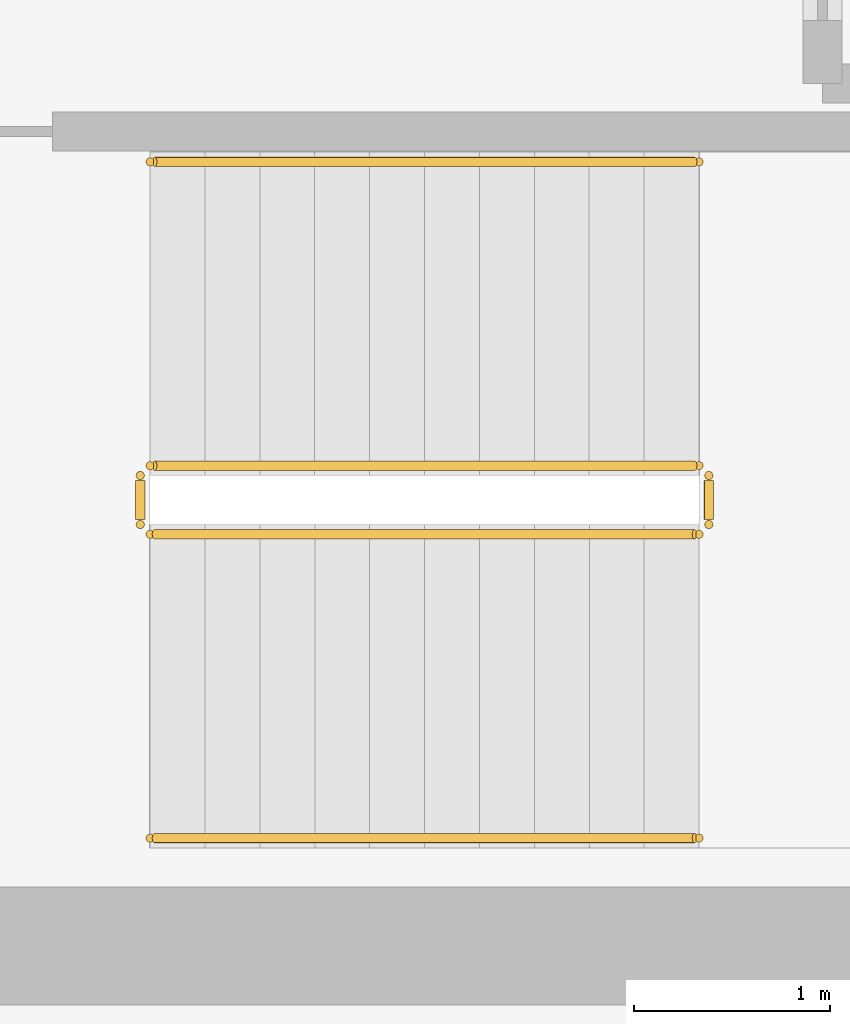
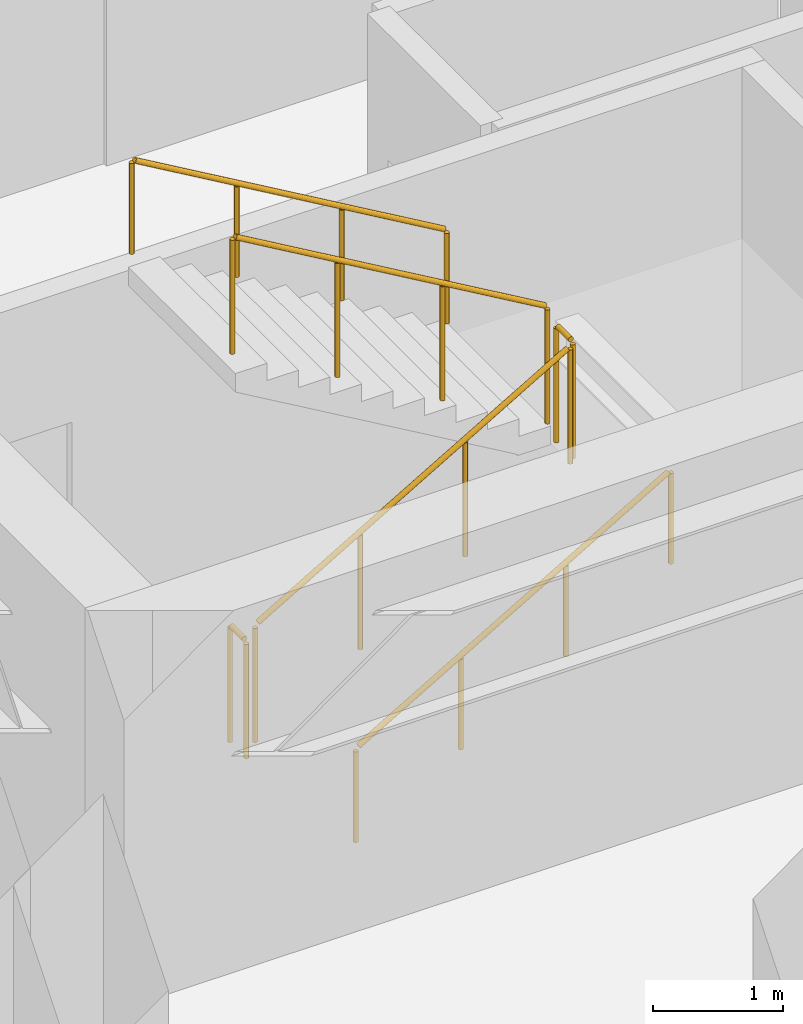
# One storey, part 12 of 12: 6 railings.
"""IFC4 building model written with IfcOpenShell, lengths in metres."""

import ifcopenshell
import ifcopenshell.guid

model = None  # the IFC model being written
_history = None  # IfcOwnerHistory: only IFC2X3 demands one
_inside = {}  # id of a spatial element -> (the spatial element, [elements in it])
_under = {}  # id of a project, library or spatial element -> (it, [spatial elements below it])
_declared = {}  # id of a project -> (the project, [libraries it declares])
_typed = {}  # id of a type object -> (the type object, [elements of that type])
_made_of = {}  # id of a material, layer set ... -> (it, [elements and type objects made of it])


def new_model(schema):
    """Start an empty IFC model of exactly this schema.

    Asked for "IFC4X3", IfcOpenShell would pick the latest addendum, in which some entities
    have other attributes; the version numbers below select the first issue.
    IFC2X3 requires an IfcOwnerHistory on every rooted entity: one is made here for all.
    """
    global model, _history
    if schema == "IFC4X3":
        model = ifcopenshell.file(schema_version=(4, 3, 0, 0))
    else:
        model = ifcopenshell.file(schema=schema)
    _inside.clear()
    _under.clear()
    _declared.clear()
    _typed.clear()
    _made_of.clear()
    _history = None
    if model.schema == "IFC2X3":
        org = make("IfcOrganization", Name="unknown")
        user = make(
            "IfcPersonAndOrganization",
            ThePerson=make("IfcPerson", FamilyName="unknown"),
            TheOrganization=org,
        )
        app = make(
            "IfcApplication",
            ApplicationDeveloper=org,
            Version="unknown",
            ApplicationFullName="unknown",
            ApplicationIdentifier="unknown",
        )
        _history = make(
            "IfcOwnerHistory",
            OwningUser=user,
            OwningApplication=app,
            ChangeAction="ADDED",
            CreationDate=0,
        )
    return model


def make(cls, **values):
    """One entity of the class cls with the attributes given. An attribute that is None is left unset."""
    return model.create_entity(
        cls, **{name: value for name, value in values.items() if value is not None}
    )


def rooted(cls, **values):
    """An entity with a GlobalId (a new one), such as an element, a storey or a relation."""
    return make(cls, GlobalId=ifcopenshell.guid.new(), OwnerHistory=_history, **values)


def si_unit(unit_type, name, prefix=None):
    """IfcSIUnit, for example si_unit("LENGTHUNIT", "METRE", prefix="MILLI")."""
    return make("IfcSIUnit", UnitType=unit_type, Prefix=prefix, Name=name)


def assignment(units):
    """IfcUnitAssignment: the units of a project."""
    return None if units is None else make("IfcUnitAssignment", Units=units)


def point(xyz):
    """IfcCartesianPoint."""
    return None if xyz is None else make("IfcCartesianPoint", Coordinates=xyz)


def direction(xyz):
    """IfcDirection."""
    return None if xyz is None else make("IfcDirection", DirectionRatios=xyz)


def frame(location, z_axis=None, x_axis=None):
    """IfcAxis2Placement3D, a coordinate frame: its origin and axes. An axis left out is left unset."""
    return make(
        "IfcAxis2Placement3D",
        Location=point(location),
        Axis=direction(z_axis),
        RefDirection=direction(x_axis),
    )


def frame_2d(location, x_axis=None):
    """IfcAxis2Placement2D, a coordinate frame in the plane: its origin and x axis."""
    return make(
        "IfcAxis2Placement2D", Location=point(location), RefDirection=direction(x_axis)
    )


def origin():
    """The frame at (0, 0, 0) with its axes left unset."""
    return frame((0.0, 0.0, 0.0))


def origin_2d():
    """The frame at (0, 0) in the plane with its x axis left unset."""
    return frame_2d((0.0, 0.0))


def place(relative_to, where):
    """IfcLocalPlacement: puts the frame where relative to a parent placement (None: the world)."""
    return make(
        "IfcLocalPlacement", PlacementRelTo=relative_to, RelativePlacement=where
    )


def context(
    kind, dimensions, precision=None, world=None, true_north=None, identifier=None
):
    """IfcGeometricRepresentationContext, for example the 3D "Model" context."""
    return make(
        "IfcGeometricRepresentationContext",
        ContextIdentifier=identifier,
        ContextType=kind,
        CoordinateSpaceDimension=dimensions,
        Precision=precision,
        WorldCoordinateSystem=world,
        TrueNorth=true_north,
    )


def subcontext(parent, identifier, kind, view, scale=None):
    """IfcGeometricRepresentationSubContext, for example "Body" below "Model"."""
    return make(
        "IfcGeometricRepresentationSubContext",
        ContextIdentifier=identifier,
        ContextType=kind,
        ParentContext=parent,
        TargetScale=scale,
        TargetView=view,
    )


def project(units=None, contexts=None):
    """IfcProject with its units and contexts."""
    return rooted(
        "IfcProject",
        Name="project",
        RepresentationContexts=contexts,
        UnitsInContext=assignment(units),
    )


def spatial(cls, under=None, at=None, **own):
    """A site, building, storey or space (cls), placed at a placement, below another one or the project."""
    s = rooted(cls, ObjectPlacement=at, **own)
    if under is not None:
        _under.setdefault(under.id(), (under, []))[1].append(s)
    return s


def profile(cls, at=None, kind="AREA", **sizes):
    """A parametric profile (cls). Its sizes go by their IFC names, for example OverallWidth=200.0."""
    return make(cls, ProfileType=kind, Position=at, **sizes)


def circle(**sizes):
    """IfcCircleProfileDef."""
    return profile("IfcCircleProfileDef", **sizes)


def extrude(swept, where, along, depth):
    """IfcExtrudedAreaSolid: the profile swept, set in the frame where, extruded along a direction by depth."""
    return make(
        "IfcExtrudedAreaSolid",
        SweptArea=swept,
        Position=where,
        ExtrudedDirection=direction(along),
        Depth=depth,
    )


def shape(context_of_items, identifier, shape_type, items):
    """IfcShapeRepresentation: the items that make up one representation, for example the "Body"."""
    return make(
        "IfcShapeRepresentation",
        ContextOfItems=context_of_items,
        RepresentationIdentifier=identifier,
        RepresentationType=shape_type,
        Items=items,
    )


def source(mapping_origin, context_of_items, identifier, shape_type, items):
    """IfcRepresentationMap: a shape defined once, which mapped items show again and again."""
    return make(
        "IfcRepresentationMap",
        MappingOrigin=mapping_origin,
        MappedRepresentation=shape(context_of_items, identifier, shape_type, items),
    )


def transform(
    local_origin,
    x_axis=None,
    y_axis=None,
    z_axis=None,
    scale=None,
    scale2=None,
    scale3=None,
    uniform=True,
):
    """IfcCartesianTransformationOperator3D, or its non-uniform kind. x_axis, y_axis, z_axis: its Axis1, 2, 3."""
    if uniform:
        return make(
            "IfcCartesianTransformationOperator3D",
            Axis1=direction(x_axis),
            Axis2=direction(y_axis),
            LocalOrigin=point(local_origin),
            Scale=scale,
            Axis3=direction(z_axis),
        )
    return make(
        "IfcCartesianTransformationOperator3DnonUniform",
        Axis1=direction(x_axis),
        Axis2=direction(y_axis),
        LocalOrigin=point(local_origin),
        Scale=scale,
        Axis3=direction(z_axis),
        Scale2=scale2,
        Scale3=scale3,
    )


def mapped(mapping_source, mapping_target):
    """IfcMappedItem: shows the shape of a source again, moved by a transform."""
    return make(
        "IfcMappedItem", MappingSource=mapping_source, MappingTarget=mapping_target
    )


def material(Name=None, Category=None):
    """IfcMaterial."""
    return make("IfcMaterial", Name=Name, Category=Category)


def layer(
    of_material, thickness, ventilated=None, Name=None, Category=None, Priority=None
):
    """IfcMaterialLayer: one layer of a wall or slab, of a material (None: an air gap)."""
    return make(
        "IfcMaterialLayer",
        Material=of_material,
        LayerThickness=thickness,
        IsVentilated=ventilated,
        Name=Name,
        Category=Category,
        Priority=Priority,
    )


def layer_set(layers, Name=None):
    """IfcMaterialLayerSet."""
    return make("IfcMaterialLayerSet", MaterialLayers=layers, LayerSetName=Name)


def made_of(thing, what):
    """Note that an element or type object is made of a material, layer set ...; save() writes the relation."""
    if what is not None:
        _made_of.setdefault(what.id(), (what, []))[1].append(thing)
    return thing


def type_object(cls, material=None, **own):
    """A type object (cls), such as IfcWallType, which elements share."""
    return made_of(rooted(cls, **own), material)


def element(
    cls,
    number,
    at=None,
    inside=None,
    cuts=None,
    type_object=None,
    material=None,
    context=None,
    identifier="Body",
    shape_type=None,
    held_by="IfcProductDefinitionShape",
    body=None,
    shapes=None,
    **own,
):
    """One element of the class cls, such as IfcWall. Its Tag is "e" and its number.

    at: its placement. inside: the storey or other place that contains it. cuts: it is an
    opening in that element (IfcRelVoidsElement). A single representation is given by context,
    identifier, shape_type and body (its items); several are given by shapes. held_by: the class
    of the entity that holds the representations. save() writes the other relations.
    """
    e = rooted(cls, Tag="e%d" % number, ObjectPlacement=at, **own)
    if body is not None:
        shapes = [shape(context, identifier, shape_type, body)]
    if shapes is not None:
        e.Representation = make(held_by, Representations=shapes)
    if inside is not None:
        _inside.setdefault(inside.id(), (inside, []))[1].append(e)
    if cuts is not None:
        rooted(
            "IfcRelVoidsElement", RelatingBuildingElement=cuts, RelatedOpeningElement=e
        )
    if type_object is not None:
        _typed.setdefault(type_object.id(), (type_object, []))[1].append(e)
    return made_of(e, material)


def aggregate(whole, parts):
    """IfcRelAggregates: a whole, such as a stair, and the parts it consists of."""
    return rooted("IfcRelAggregates", RelatingObject=whole, RelatedObjects=parts)


def save(model, path):
    """Write the relations noted so far, then the file.

    IfcRelAggregates (storeys below a building ...), IfcRelContainedInSpatialStructure (elements
    in a storey), IfcRelDefinesByType, IfcRelAssociatesMaterial and IfcRelDeclares: one each for
    every whole, place, type object, material and project.
    """
    for whole, parts in _under.values():
        aggregate(whole, parts)
    for where, things in _inside.values():
        rooted(
            "IfcRelContainedInSpatialStructure",
            RelatedElements=things,
            RelatingStructure=where,
        )
    for kind, things in _typed.values():
        rooted("IfcRelDefinesByType", RelatedObjects=things, RelatingType=kind)
    for what, things in _made_of.values():
        rooted("IfcRelAssociatesMaterial", RelatedObjects=things, RelatingMaterial=what)
    for by, libraries in _declared.values():
        rooted("IfcRelDeclares", RelatingContext=by, RelatedDefinitions=libraries)
    model.write(path)


model = new_model("IFC4")

# Units and contexts
model_context = context("Model", 3, precision=1e-05, world=origin(), true_north=direction((0.0, 1.0)))
body_context = subcontext(model_context, "Body", "Model", "MODEL_VIEW")
ifc_project = project(units=[si_unit("LENGTHUNIT", "METRE"), si_unit("AREAUNIT", "SQUARE_METRE"), si_unit("VOLUMEUNIT", "CUBIC_METRE"), si_unit("PLANEANGLEUNIT", "RADIAN"), si_unit("MASSUNIT", "GRAM", prefix="KILO")], contexts=[model_context])

# Site, building, storey
site_placement = place(None, origin())
site = spatial("IfcSite", under=ifc_project, at=site_placement, CompositionType="ELEMENT")
building_placement = place(site_placement, origin())
building = spatial("IfcBuilding", under=site, at=building_placement, Name="Kharzan Plaza Tower", CompositionType="ELEMENT")
storey_placement = place(building_placement, frame((0.0, 0.0, 179.10009765625)))
storey = spatial("IfcBuildingStorey", under=building, at=storey_placement, Name="L48", CompositionType="ELEMENT", Elevation=179.10009765625)

# Railings
ifc_material_1 = material(Name="Painted Galvanized Architectural Steel", Category="steel")
ifc_layer_1 = layer(ifc_material_1, 0.074951171875)
ifc_layer_set_1 = layer_set([ifc_layer_1], Name="Painted Galvanized Architectural Steel")
railing_type_1 = type_object("IfcRailingType", Name="RL-GUARD-1120", PredefinedType="BALUSTRADE", material=ifc_layer_set_1)
shared_shape_1 = source(origin(), body_context, "Body", "SweptSolid", [
    extrude(circle(Radius=0.02392578125, at=origin_2d()), frame((0.0, 0.0263671875, 1.09619140625), z_axis=(0.0, 1.0, 0.0), x_axis=(-1.0, 0.0, 0.0)), (0.0, 0.0, 1.0), 0.197021484375),
    extrude(circle(Radius=0.02099609375, at=origin_2d()), origin(), (0.0, 0.0, 1.0), 1.072021484375),
    extrude(circle(Radius=0.02099609375, at=origin_2d()), frame((0.0, 0.25, 0.0)), (0.0, 0.0, 1.0), 1.072021484375),
])
for number, where, name in (
    (1, (41.10009765625, 6.64990234375, 1.7998046875), "L48 ST-3 stair guard 2"),
    (2, (38.199951171875, 6.64990234375, 0.0), "L48 ST-3 stair guard 4"),
):
    element("IfcRailing", number, at=place(storey_placement, frame(where)), inside=storey, type_object=railing_type_1, Name=name, PredefinedType="BALUSTRADE", context=body_context, shape_type="MappedRepresentation", body=[
        mapped(shared_shape_1, transform((0.0, 0.0, 0.0), x_axis=(1.0, 0.0, 0.0), y_axis=(0.0, 1.0, 0.0), z_axis=(0.0, 0.0, 1.0))),
    ])
shared_shape_2 = source(origin(), body_context, "Body", "SweptSolid", [
    extrude(circle(Radius=0.02392578125, at=origin_2d()), frame((0.02294921875, 0.0, 1.109375), z_axis=(0.863393664356, 0.0, 0.504530851732), x_axis=(0.0, 1.0, 0.0)), (0.0, 0.0, 1.0), 3.190185546875),
    extrude(circle(Radius=0.02099609375, at=origin_2d()), origin(), (0.0, 0.0, 1.0), 1.072021484375),
    extrude(circle(Radius=0.02099609375, at=origin_2d()), frame((0.933349609375, 0.0, 0.54541015625)), (0.0, 0.0, 1.0), 1.072021484375),
    extrude(circle(Radius=0.02099609375, at=origin_2d()), frame((1.86669921875, 0.0, 1.0908203125)), (0.0, 0.0, 1.0), 1.072021484375),
    extrude(circle(Radius=0.02099609375, at=origin_2d()), frame((2.800048828125, 0.0, 1.63623046875)), (0.0, 0.0, 1.0), 1.072021484375),
])
railing_1_placement = place(storey_placement, frame((38.25, 6.60009765625, 0.16357421875)))
element("IfcRailing", 3, at=railing_1_placement, inside=storey, type_object=railing_type_1, Name="L48 ST-3 stair guard 1", PredefinedType="BALUSTRADE", context=body_context, shape_type="MappedRepresentation", body=[
    mapped(shared_shape_2, transform((0.0, 0.0, 0.0), x_axis=(1.0, 0.0, 0.0), y_axis=(0.0, 1.0, 0.0), z_axis=(0.0, 0.0, 1.0))),
])
shared_shape_3 = source(origin(), body_context, "Body", "SweptSolid", [
    extrude(circle(Radius=0.02392578125, at=origin_2d()), frame((-0.02294921875, 0.0, 1.109375), z_axis=(-0.863393664356, 0.0, 0.504530851732), x_axis=(0.0, -1.0, 0.0)), (0.0, 0.0, 1.0), 3.190185546875),
    extrude(circle(Radius=0.02099609375, at=origin_2d()), origin(), (0.0, 0.0, 1.0), 1.072021484375),
    extrude(circle(Radius=0.02099609375, at=origin_2d()), frame((-0.933349609375, 0.0, 0.54541015625)), (0.0, 0.0, 1.0), 1.072021484375),
    extrude(circle(Radius=0.02099609375, at=origin_2d()), frame((-1.86669921875, 0.0, 1.0908203125)), (0.0, 0.0, 1.0), 1.072021484375),
    extrude(circle(Radius=0.02099609375, at=origin_2d()), frame((-2.800048828125, 0.0, 1.63623046875)), (0.0, 0.0, 1.0), 1.072021484375),
])
railing_2_placement = place(storey_placement, frame((41.050048828125, 6.949951171875, 1.963623046875)))
element("IfcRailing", 4, at=railing_2_placement, inside=storey, type_object=railing_type_1, Name="L48 ST-3 stair guard 3", PredefinedType="BALUSTRADE", context=body_context, shape_type="MappedRepresentation", body=[
    mapped(shared_shape_3, transform((0.0, 0.0, 0.0), x_axis=(1.0, 0.0, 0.0), y_axis=(0.0, 1.0, 0.0), z_axis=(0.0, 0.0, 1.0))),
])
ifc_material_2 = material(Name="Brushed Stainless Steel", Category="steel")
ifc_layer_2 = layer(ifc_material_2, 0.050048828125)
ifc_layer_set_2 = layer_set([ifc_layer_2], Name="Brushed Stainless Steel")
railing_type_2 = type_object("IfcRailingType", Name="RL-STAIR-HR920", PredefinedType="HANDRAIL", material=ifc_layer_set_2)
shared_shape_4 = source(origin(), body_context, "Body", "SweptSolid", [
    extrude(circle(Radius=0.02392578125, at=origin_2d()), frame((0.02294921875, 0.0, 0.88916015625), z_axis=(0.863393664356, 0.0, 0.504530851732), x_axis=(0.0, 1.0, 0.0)), (0.0, 0.0, 1.0), 3.190185546875),
    extrude(circle(Radius=0.02099609375, at=origin_2d()), origin(), (0.0, 0.0, 1.0), 0.851806640625),
    extrude(circle(Radius=0.02099609375, at=origin_2d()), frame((0.933349609375, 0.0, 0.54541015625)), (0.0, 0.0, 1.0), 0.851806640625),
    extrude(circle(Radius=0.02099609375, at=origin_2d()), frame((1.86669921875, 0.0, 1.0908203125)), (0.0, 0.0, 1.0), 0.851806640625),
    extrude(circle(Radius=0.02099609375, at=origin_2d()), frame((2.800048828125, 0.0, 1.63623046875)), (0.0, 0.0, 1.0), 0.851806640625),
])
railing_3_placement = place(storey_placement, frame((38.25, 5.050048828125, 0.16357421875)))
element("IfcRailing", 5, at=railing_3_placement, inside=storey, type_object=railing_type_2, Name="L48 ST-3 stair handrail 1", PredefinedType="HANDRAIL", context=body_context, shape_type="MappedRepresentation", body=[
    mapped(shared_shape_4, transform((0.0, 0.0, 0.0), x_axis=(1.0, 0.0, 0.0), y_axis=(0.0, 1.0, 0.0), z_axis=(0.0, 0.0, 1.0))),
])
shared_shape_5 = source(origin(), body_context, "Body", "SweptSolid", [
    extrude(circle(Radius=0.02392578125, at=origin_2d()), frame((-0.02294921875, 0.0, 0.88916015625), z_axis=(-0.863393664356, 0.0, 0.504530851732), x_axis=(0.0, -1.0, 0.0)), (0.0, 0.0, 1.0), 3.190185546875),
    extrude(circle(Radius=0.02099609375, at=origin_2d()), origin(), (0.0, 0.0, 1.0), 0.851806640625),
    extrude(circle(Radius=0.02099609375, at=origin_2d()), frame((-0.933349609375, 0.0, 0.54541015625)), (0.0, 0.0, 1.0), 0.851806640625),
    extrude(circle(Radius=0.02099609375, at=origin_2d()), frame((-1.86669921875, 0.0, 1.0908203125)), (0.0, 0.0, 1.0), 0.851806640625),
    extrude(circle(Radius=0.02099609375, at=origin_2d()), frame((-2.800048828125, 0.0, 1.63623046875)), (0.0, 0.0, 1.0), 0.851806640625),
])
railing_4_placement = place(storey_placement, frame((41.050048828125, 8.5, 1.963623046875)))
element("IfcRailing", 6, at=railing_4_placement, inside=storey, type_object=railing_type_2, Name="L48 ST-3 stair handrail 2", PredefinedType="HANDRAIL", context=body_context, shape_type="MappedRepresentation", body=[
    mapped(shared_shape_5, transform((0.0, 0.0, 0.0), x_axis=(1.0, 0.0, 0.0), y_axis=(0.0, 1.0, 0.0), z_axis=(0.0, 0.0, 1.0))),
])

save(model, "model.ifc")
